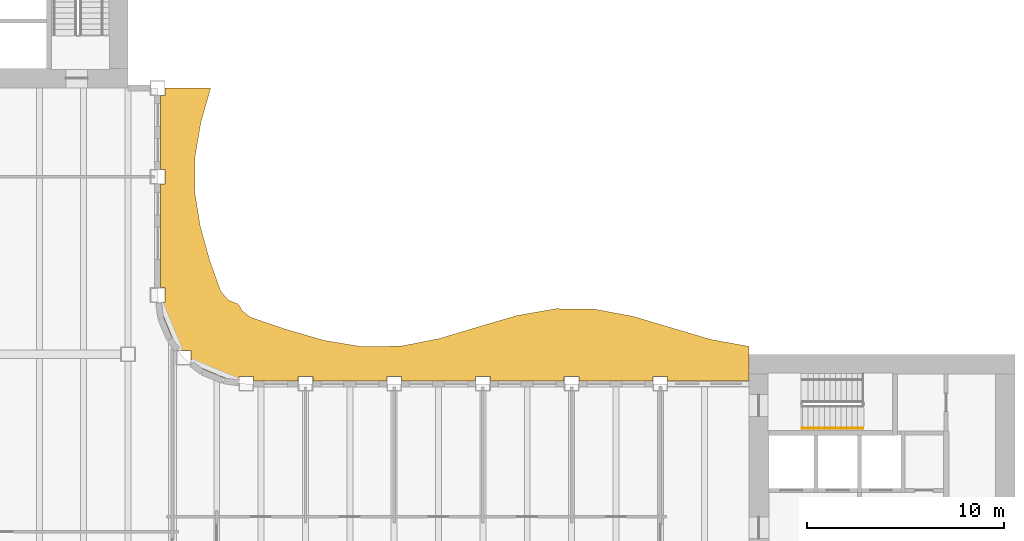
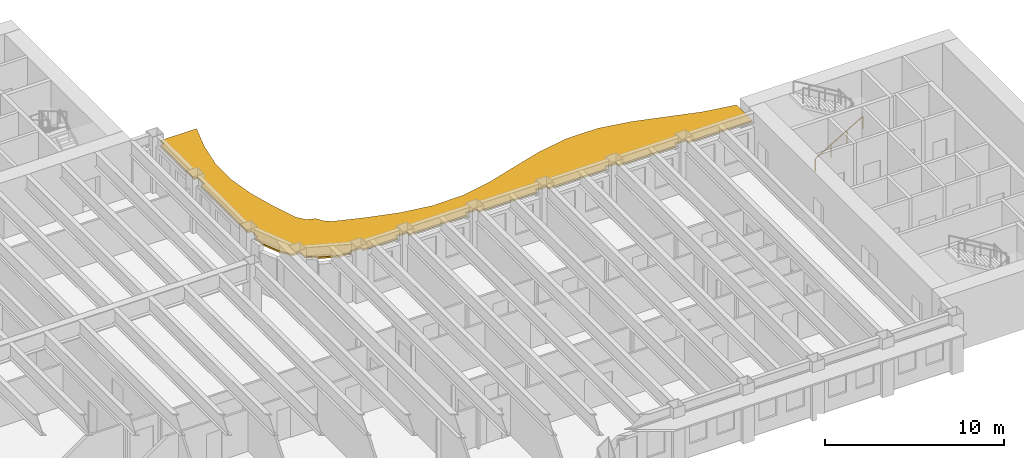
# One storey, part 14 of 16: 1 railing, 1 shading device.
"""IFC4 building model written with IfcOpenShell, lengths in metres."""

from ifc_helpers import new_model, si_unit, direction, frame, origin, origin_2d, place, context, subcontext, project, spatial, polyline, rectangle, outline, extrude, material, layer, layer_set, type_object, element, save


model = new_model("IFC4")

# Units and contexts
model_context = context("Model", 3, precision=1e-05, world=origin(), true_north=direction((0.0, 1.0)))
body_context = subcontext(model_context, "Body", "Model", "MODEL_VIEW")
ifc_project = project(units=[si_unit("LENGTHUNIT", "METRE"), si_unit("AREAUNIT", "SQUARE_METRE"), si_unit("VOLUMEUNIT", "CUBIC_METRE"), si_unit("PLANEANGLEUNIT", "RADIAN"), si_unit("MASSUNIT", "GRAM", prefix="KILO")], contexts=[model_context])

# Site, building, storey
site_placement = place(None, origin())
site = spatial("IfcSite", under=ifc_project, at=site_placement, CompositionType="ELEMENT")
building_placement = place(site_placement, origin())
building = spatial("IfcBuilding", under=site, at=building_placement, Name="Sennacour Bend Tower", CompositionType="ELEMENT")
storey_placement = place(building_placement, frame((0.0, 0.0, 235.0)))
storey = spatial("IfcBuildingStorey", under=building, at=storey_placement, Name="L54", CompositionType="ELEMENT", Elevation=235.0)

# Railing
ifc_material_1 = material(Name="Stainless steel", Category="steel")
railing_type = type_object("IfcRailingType", Name="RL-HANDRAIL-900", PredefinedType="HANDRAIL", material=ifc_material_1)
railing_placement = place(storey_placement, frame((56.699951171875, 18.75, 0.166748046875)))
element("IfcRailing", 1, at=railing_placement, inside=storey, type_object=railing_type, Name="L54 SA2 stair handrail 1", PredefinedType="HANDRAIL", context=body_context, shape_type="SweptSolid", body=[
    extrude(rectangle(XDim=0.048095703125, YDim=0.048095703125, at=origin_2d()), frame((0.0, 0.0, 0.8759765625), z_axis=(0.859308565015, 0.0, 0.511457515432), x_axis=(0.0, 1.0, 0.0)), (0.0, 0.0, 1.0), 3.58447265625),
    extrude(rectangle(XDim=0.0419921875, YDim=0.0419921875, at=origin_2d()), origin(), (0.0, 0.0, 1.0), 0.851806640625),
    extrude(rectangle(XDim=0.0419921875, YDim=0.0419921875, at=origin_2d()), frame((1.026611328125, 0.0, 0.611083984375)), (0.0, 0.0, 1.0), 0.851806640625),
    extrude(rectangle(XDim=0.0419921875, YDim=0.0419921875, at=origin_2d()), frame((2.053466796875, 0.0, 1.22216796875)), (0.0, 0.0, 1.0), 0.851806640625),
    extrude(rectangle(XDim=0.0419921875, YDim=0.0419921875, at=origin_2d()), frame((3.080078125, 0.0, 1.833251953125)), (0.0, 0.0, 1.0), 0.851806640625),
])

# Shading device
ifc_material_2 = material(Name="Bronze anodised aluminium", Category="aluminium")
ifc_layer = layer(ifc_material_2, 0.1201171875, Name="Bronze anodised aluminium", Category="aluminium")
ifc_layer_set = layer_set([ifc_layer], Name="Bronze anodised aluminium")
shading_device_type = type_object("IfcShadingDeviceType", Name="SUNSHADE BAND WAVE", PredefinedType="USERDEFINED", material=ifc_layer_set)
shading_device_placement = place(storey_placement, frame((0.0, 0.0, 3.037109375)))
element("IfcShadingDevice", 2, at=shading_device_placement, inside=storey, type_object=shading_device_type, Name="Sunshade band L54 concave faces", ObjectType="SUNSHADE", PredefinedType="USERDEFINED", context=body_context, shape_type="SweptSolid", body=[
    extrude(outline(polyline([(54.0, 21.14990234375), (49.875, 21.14990234375), (49.875, 21.375), (49.125, 21.375), (49.125, 21.14990234375), (45.375, 21.14990234375), (45.375, 21.375), (44.625, 21.375), (44.625, 21.14990234375), (40.875, 21.14990234375), (40.875, 21.375), (40.125, 21.375), (40.125, 21.14990234375), (36.375, 21.14990234375), (36.375, 21.375), (35.625, 21.375), (35.625, 21.14990234375), (31.875, 21.14990234375), (31.875, 21.375), (31.125, 21.375), (31.125, 21.14990234375), (28.875, 21.14990234375), (28.875, 21.375), (28.125, 21.375), (28.125, 21.20068359375), (27.37451171875, 21.299560546875), (26.32568359375, 21.73388671875), (25.693115234375, 22.21923828125), (25.693115234375, 22.693115234375), (25.21923828125, 22.693115234375), (24.73388671875, 23.32568359375), (24.299560546875, 24.37451171875), (24.20068359375, 25.125), (24.375, 25.125), (24.375, 25.875), (24.14990234375, 25.875), (24.14990234375, 31.125), (24.375, 31.125), (24.375, 31.875), (24.14990234375, 31.875), (24.14990234375, 35.625), (24.375, 35.625), (24.375, 36.0), (26.6884765625, 36.0), (26.1923828125, 34.25), (25.89404296875, 32.5), (25.883056640625, 30.75), (26.16259765625, 29.0), (26.648681640625, 27.25), (27.195556640625, 25.70947265625), (27.576416015625, 25.25244140625), (28.060302734375, 25.060302734375), (28.1728515625, 24.93359375), (28.287841796875, 24.7080078125), (28.72119140625, 24.37451171875), (30.46142578125, 23.77978515625), (32.423095703125, 23.211181640625), (34.384521484375, 22.882568359375), (36.34619140625, 22.91650390625), (38.3076171875, 23.30078125), (40.269287109375, 23.89111328125), (42.230712890625, 24.4658203125), (44.1923828125, 24.809814453125), (46.15380859375, 24.793701171875), (48.115478515625, 24.423583984375), (50.076904296875, 23.83837890625), (52.03857421875, 23.257568359375), (54.0, 22.89892578125), (54.0, 21.14990234375)])), origin(), (0.0, 0.0, 1.0), 0.119873046875),
])

save(model, "model.ifc")
